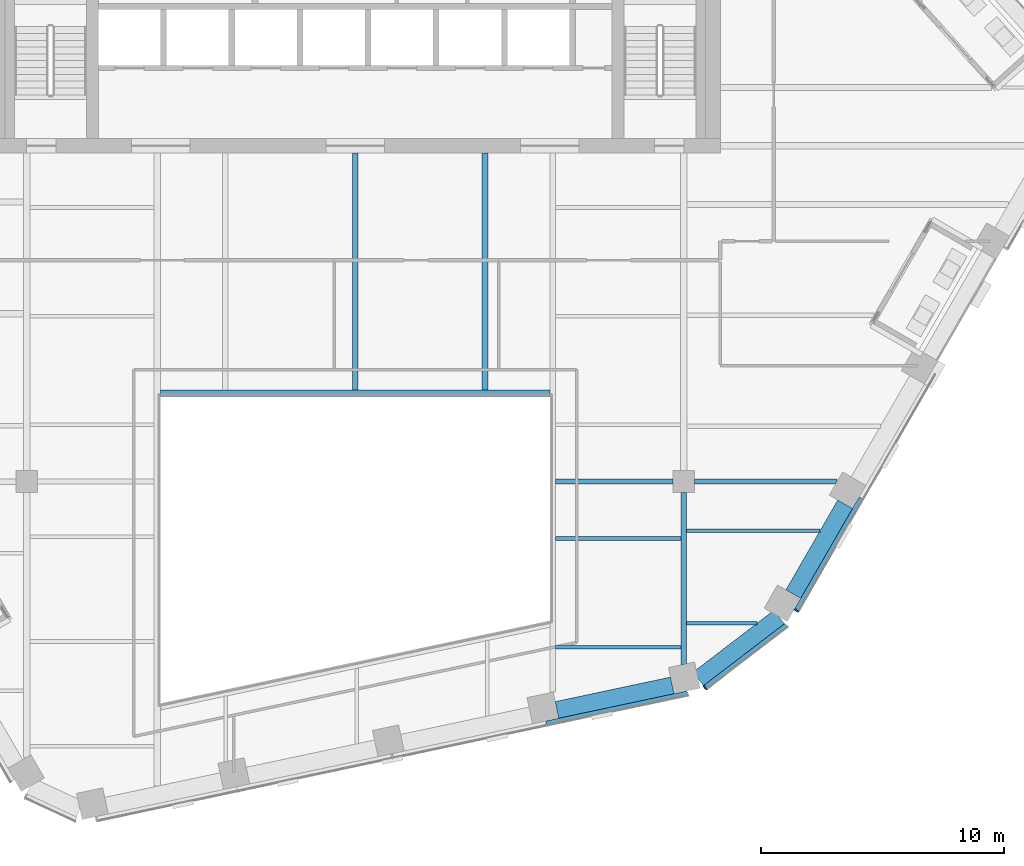
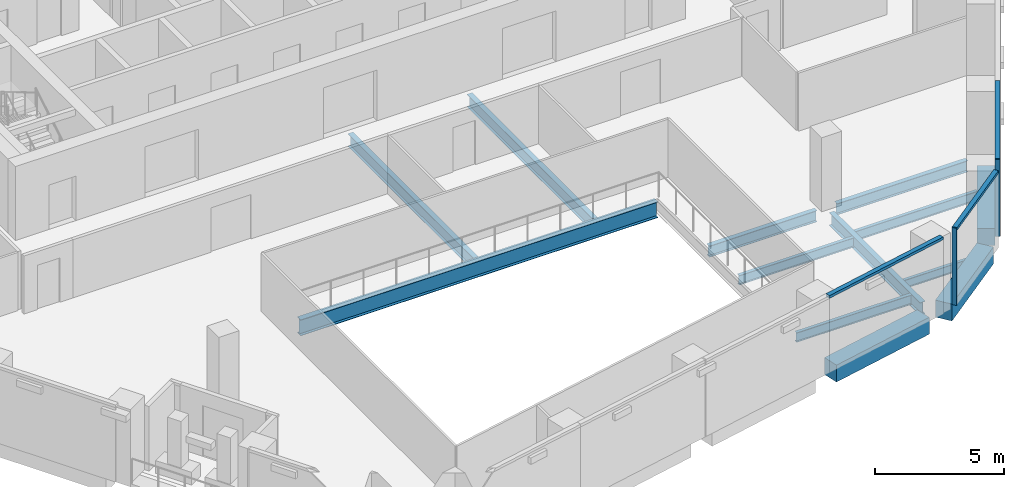
# One storey, part 5 of 25: 13 beams, 5 members, 3 elements without a shape of their own.
"""IFC4 building model written with IfcOpenShell, lengths in metres."""

from ifc_helpers import new_model, si_unit, direction, frame, origin, origin_2d, place, context, subcontext, project, spatial, rectangle, i_section, extrude, material, layer, layer_set, material_profile, profile_set, type_object, element, aggregate, save


model = new_model("IFC4")

# Units and contexts
model_context = context("Model", 3, precision=1e-05, world=origin(), true_north=direction((0.0, 1.0)))
body_context = subcontext(model_context, "Body", "Model", "MODEL_VIEW")
ifc_project = project(units=[si_unit("LENGTHUNIT", "METRE"), si_unit("AREAUNIT", "SQUARE_METRE"), si_unit("VOLUMEUNIT", "CUBIC_METRE"), si_unit("PLANEANGLEUNIT", "RADIAN"), si_unit("MASSUNIT", "GRAM", prefix="KILO")], contexts=[model_context])

# Site, building, storey
site_placement = place(None, origin())
site = spatial("IfcSite", under=ifc_project, at=site_placement, CompositionType="ELEMENT")
building_placement = place(site_placement, origin())
building = spatial("IfcBuilding", under=site, at=building_placement, Name="Isthmus Gate Tower", CompositionType="ELEMENT")
storey_placement = place(building_placement, frame((0.0, 0.0, 249.14990234375)))
storey = spatial("IfcBuildingStorey", under=building, at=storey_placement, Name="L63", CompositionType="ELEMENT", Elevation=249.14990234375)

# Curtain wall, member
ifc_material_1 = material(Name="Aluminium, pale champagne anodised", Category="aluminium")
ifc_layer = layer(ifc_material_1, 0.199951171875)
ifc_layer_set = layer_set([ifc_layer], Name="CW-1 UNITISED CURTAIN WALL 200 DEEP")
curtain_wall_type = type_object("IfcCurtainWallType", Name="CW-1 UNITISED CURTAIN WALL 200 DEEP", PredefinedType="NOTDEFINED", material=ifc_layer_set)
curtain_wall_1_placement = place(storey_placement, origin())
curtain_wall_1 = element("IfcCurtainWall", 1, at=curtain_wall_1_placement, inside=storey, type_object=curtain_wall_type, Name="CW-1 S-SE L63", PredefinedType="NOTDEFINED")
ifc_material_2 = material(Name="Aluminium, pale champagne anodised", Category="aluminium")
ifc_material_profile_1 = material_profile(ifc_material_2, rectangle(XDim=0.06005859375, YDim=0.199951171875, at=origin_2d()), Name="60x200")
ifc_profile_set_1 = profile_set([ifc_material_profile_1], Name="Aluminium, pale champagne anodised")
member_type_1 = type_object("IfcMemberType", Name="CW-1 MULLION 60 X 200", PredefinedType="MULLION", material=ifc_profile_set_1)
member_1_placement = place(storey_placement, frame((14.3720703125, -21.961669921875, 0.0), z_axis=(0.0, 0.0, 1.0), x_axis=(0.794188594387, 0.607671355706, 0.0)))
member_1 = element("IfcMember", 2, at=member_1_placement, type_object=member_type_1, Name="CW-1 mullion", PredefinedType="MULLION", context=body_context, shape_type="SweptSolid", body=[
    extrude(rectangle(XDim=0.06005859375, YDim=0.199951171875, at=origin_2d()), origin(), (0.0, 0.0, 1.0), 3.650146484375),
])

curtain_wall_2_placement = place(storey_placement, origin())
curtain_wall_2 = element("IfcCurtainWall", 3, at=curtain_wall_2_placement, inside=storey, type_object=curtain_wall_type, Name="CW-1 SE L63", PredefinedType="NOTDEFINED")
member_2_placement = place(storey_placement, frame((18.131591796875, -18.794921875, 0.0), z_axis=(0.0, 0.0, 1.0), x_axis=(0.5, 0.866025403784, 0.0)))
member_2 = element("IfcMember", 4, at=member_2_placement, type_object=member_type_1, Name="CW-1 mullion", PredefinedType="MULLION", context=body_context, shape_type="SweptSolid", body=[
    extrude(rectangle(XDim=0.06005859375, YDim=0.199951171875, at=origin_2d()), origin(), (0.0, 0.0, 1.0), 3.650146484375),
])

curtain_wall_3_placement = place(storey_placement, origin())
curtain_wall_3 = element("IfcCurtainWall", 5, at=curtain_wall_3_placement, inside=storey, type_object=curtain_wall_type, Name="CW-1 S L63", PredefinedType="NOTDEFINED")
ifc_material_3 = material(Name="Aluminium, pale champagne anodised", Category="aluminium")
ifc_material_profile_2 = material_profile(ifc_material_3, rectangle(XDim=0.199951171875, YDim=0.1298828125, at=origin_2d()), Name="200x130")
ifc_profile_set_2 = profile_set([ifc_material_profile_2], Name="Aluminium, pale champagne anodised")
member_type_2 = type_object("IfcMemberType", Name="CW-1 TRANSOM 200 X 130", PredefinedType="USERDEFINED", material=ifc_profile_set_2)
member_3_placement = place(storey_placement, frame((7.844970703125, -23.434814453125, 3.585205078125), z_axis=(0.978148616043, 0.207906914105, 0.0), x_axis=(-0.207906914105, 0.978148616043, 0.0)))
member_3 = element("IfcMember", 6, at=member_3_placement, type_object=member_type_2, Name="CW-1 transom", ObjectType="TRANSOM", PredefinedType="USERDEFINED", context=body_context, shape_type="SweptSolid", body=[
    extrude(rectangle(XDim=0.199951171875, YDim=0.1298828125, at=origin_2d()), origin(), (0.0, 0.0, 1.0), 5.94189453125),
])
aggregate(curtain_wall_3, [member_3])

# Member
member_4_placement = place(storey_placement, frame((14.39599609375, -21.943603515625, 3.585205078125), z_axis=(0.794175498212, 0.607688471209, 0.0), x_axis=(-0.607688471209, 0.794175498212, 0.0)))
member_4 = element("IfcMember", 7, at=member_4_placement, type_object=member_type_2, Name="CW-1 transom", ObjectType="TRANSOM", PredefinedType="USERDEFINED", context=body_context, shape_type="SweptSolid", body=[
    extrude(rectangle(XDim=0.199951171875, YDim=0.1298828125, at=origin_2d()), origin(), (0.0, 0.0, 1.0), 4.181396484375),
])

aggregate(curtain_wall_1, [member_1, member_4])

member_5_placement = place(storey_placement, frame((18.146728515625, -18.76904296875, 3.585205078125), z_axis=(0.499968318869, 0.866043694121, 0.0), x_axis=(-0.866043694121, 0.499968318869, 0.0)))
member_5 = element("IfcMember", 8, at=member_5_placement, type_object=member_type_2, Name="CW-1 transom", ObjectType="TRANSOM", PredefinedType="USERDEFINED", context=body_context, shape_type="SweptSolid", body=[
    extrude(rectangle(XDim=0.199951171875, YDim=0.1298828125, at=origin_2d()), origin(), (0.0, 0.0, 1.0), 5.300537109375),
])

aggregate(curtain_wall_2, [member_2, member_5])

# Beams
ifc_material_4 = material(Name="Concrete f'c 50 MPa", Category="concrete")
ifc_material_profile_3 = material_profile(ifc_material_4, rectangle(XDim=0.699951171875, YDim=0.800048828125, at=origin_2d()), Name="RC 700X800")
ifc_profile_set_3 = profile_set([ifc_material_profile_3], Name="Concrete f'c 50 MPa")
beam_type_1 = type_object("IfcBeamType", Name="RC SPANDREL 700 X 800", PredefinedType="SPANDREL", material=ifc_profile_set_3)
beam_1_placement = place(storey_placement, frame((20.13232421875, -14.429931640625, -0.39990234375), z_axis=(-0.500021719575, -0.866012863619, 0.0), x_axis=(0.866012863619, -0.500021719575, 0.0)))
element("IfcBeam", 9, at=beam_1_placement, inside=storey, type_object=beam_type_1, Name="str-spandrel-L63-09", PredefinedType="SPANDREL", context=body_context, shape_type="SweptSolid", body=[
    extrude(rectangle(XDim=0.699951171875, YDim=0.800048828125, at=origin_2d()), origin(), (0.0, 0.0, 1.0), 4.260498046875),
])
beam_2_placement = place(storey_placement, frame((17.4267578125, -19.057861328125, -0.39990234375), z_axis=(-0.794182771845, -0.60767896533, 0.0), x_axis=(0.60767896533, -0.794182771845, 0.0)))
element("IfcBeam", 10, at=beam_2_placement, inside=storey, type_object=beam_type_1, Name="str-spandrel-L63-10", PredefinedType="SPANDREL", context=body_context, shape_type="SweptSolid", body=[
    extrude(rectangle(XDim=0.699951171875, YDim=0.800048828125, at=origin_2d()), origin(), (0.0, 0.0, 1.0), 4.19677734375),
])
beam_3_placement = place(storey_placement, frame((13.025390625, -21.87353515625, -0.39990234375), z_axis=(-0.978151545833, -0.207893129722, 0.0), x_axis=(0.207893129722, -0.978151545833, 0.0)))
element("IfcBeam", 11, at=beam_3_placement, inside=storey, type_object=beam_type_1, Name="str-spandrel-L63-11", PredefinedType="SPANDREL", context=body_context, shape_type="SweptSolid", body=[
    extrude(rectangle(XDim=0.699951171875, YDim=0.800048828125, at=origin_2d()), origin(), (0.0, 0.0, 1.0), 4.841796875),
])
ifc_material_5 = material(Name="Structural steel ASTM A992 Gr 50", Category="steel")
ifc_material_profile_4 = material_profile(ifc_material_5, i_section(OverallWidth=0.1396484375, OverallDepth=0.4033203125, WebThickness=0.00634765625, FlangeThickness=0.010986328125, at=origin_2d()), Name="W16X31")
ifc_profile_set_4 = profile_set([ifc_material_profile_4], Name="Structural steel ASTM A992 Gr 50")
beam_type_2 = type_object("IfcBeamType", Name="STEEL FLOOR BEAM W16X31", PredefinedType="JOIST", material=ifc_profile_set_4)
beam_4_placement = place(storey_placement, frame((13.6142578125, -19.322998046875, -0.3515625), z_axis=(1.0, 0.0, 0.0), x_axis=(0.0, 1.0, 0.0)))
element("IfcBeam", 12, at=beam_4_placement, inside=storey, type_object=beam_type_2, Name="str-beam-L63-14-00", PredefinedType="JOIST", context=body_context, shape_type="SweptSolid", body=[
    extrude(i_section(OverallWidth=0.1396484375, OverallDepth=0.4033203125, WebThickness=0.00634765625, FlangeThickness=0.010986328125, at=origin_2d()), origin(), (0.0, 0.0, 1.0), 2.889892578125),
])
ifc_material_6 = material(Name="Structural steel ASTM A992 Gr 50", Category="steel")
ifc_material_profile_5 = material_profile(ifc_material_6, i_section(OverallWidth=0.15234375, OverallDepth=0.45068359375, WebThickness=0.0078125, FlangeThickness=0.010986328125, at=origin_2d()), Name="W18X35")
ifc_profile_set_5 = profile_set([ifc_material_profile_5], Name="Structural steel ASTM A992 Gr 50")
beam_type_3 = type_object("IfcBeamType", Name="STEEL FLOOR BEAM W18X35", PredefinedType="JOIST", material=ifc_profile_set_5)
for number, where, z_axis, x_axis, name in (
    (13, (8.228515625, -20.3046875, -0.375244140625), (1.0, 0.0, 0.0), (0.0, 1.0, 0.0), "str-beam-L63-12-00"),
    (14, (8.228515625, -15.838134765625, -0.375244140625), (1.0, 0.0, 0.0), (0.0, 1.0, 0.0), "str-beam-L63-12-01"),
):
    element("IfcBeam", number, at=place(storey_placement, frame(where, z_axis=z_axis, x_axis=x_axis)), inside=storey, type_object=beam_type_3, Name=name, PredefinedType="JOIST", context=body_context, shape_type="SweptSolid", body=[
        extrude(i_section(OverallWidth=0.15234375, OverallDepth=0.45068359375, WebThickness=0.0078125, FlangeThickness=0.010986328125, at=origin_2d()), origin(), (0.0, 0.0, 1.0), 5.1572265625),
    ])
beam_5_placement = place(storey_placement, frame((13.6142578125, -15.5107421875, -0.375244140625), z_axis=(1.0, 0.0, 0.0), x_axis=(0.0, 1.0, 0.0)))
element("IfcBeam", 15, at=beam_5_placement, inside=storey, type_object=beam_type_3, Name="str-beam-L63-14-01", PredefinedType="JOIST", context=body_context, shape_type="SweptSolid", body=[
    extrude(i_section(OverallWidth=0.15234375, OverallDepth=0.45068359375, WebThickness=0.0078125, FlangeThickness=0.010986328125, at=origin_2d()), origin(), (0.0, 0.0, 1.0), 5.48974609375),
])
ifc_material_7 = material(Name="Structural steel ASTM A992 Gr 50", Category="steel")
ifc_material_profile_6 = material_profile(ifc_material_7, i_section(OverallWidth=0.228515625, OverallDepth=0.603271484375, WebThickness=0.010986328125, FlangeThickness=0.014404296875, at=origin_2d()), Name="W24X68")
ifc_profile_set_6 = profile_set([ifc_material_profile_6], Name="Structural steel ASTM A992 Gr 50")
beam_type_4 = type_object("IfcBeamType", Name="STEEL FLOOR BEAM W24X68", PredefinedType="JOIST", material=ifc_profile_set_6)
for number, where, z_axis, x_axis, name in (
    (16, (0.0, -9.7333984375, -0.451416015625), (0.0, 1.0, 0.0), (-1.0, 0.0, 0.0), "str-beam-L63-10-01"),
    (17, (5.333251953125, -9.7333984375, -0.451416015625), (0.0, 1.0, 0.0), (-1.0, 0.0, 0.0), "str-beam-L63-10-02"),
):
    element("IfcBeam", number, at=place(storey_placement, frame(where, z_axis=z_axis, x_axis=x_axis)), inside=storey, type_object=beam_type_4, Name=name, PredefinedType="JOIST", context=body_context, shape_type="SweptSolid", body=[
        extrude(i_section(OverallWidth=0.228515625, OverallDepth=0.603271484375, WebThickness=0.010986328125, FlangeThickness=0.014404296875, at=origin_2d()), origin(), (0.0, 0.0, 1.0), 9.7333984375),
    ])
ifc_material_8 = material(Name="Structural steel ASTM A992 Gr 50", Category="steel")
ifc_material_profile_7 = material_profile(ifc_material_8, i_section(OverallWidth=0.20947265625, OverallDepth=0.533447265625, WebThickness=0.009521484375, FlangeThickness=0.015869140625, at=origin_2d()), Name="W21X62")
ifc_profile_set_7 = profile_set([ifc_material_profile_7], Name="Structural steel ASTM A992 Gr 50")
beam_type_5 = type_object("IfcBeamType", Name="STEEL GIRDER W21X62", PredefinedType="BEAM", material=ifc_profile_set_7)
beam_6_placement = place(storey_placement, frame((8.228515625, -13.5, -0.41650390625), z_axis=(1.0, 0.0, 0.0), x_axis=(0.0, 1.0, 0.0)))
element("IfcBeam", 18, at=beam_6_placement, inside=storey, type_object=beam_type_5, Name="str-girder-L63-03", PredefinedType="BEAM", context=body_context, shape_type="SweptSolid", body=[
    extrude(i_section(OverallWidth=0.20947265625, OverallDepth=0.533447265625, WebThickness=0.009521484375, FlangeThickness=0.015869140625, at=origin_2d()), origin(), (0.0, 0.0, 1.0), 4.821533203125),
])
beam_7_placement = place(storey_placement, frame((13.949951171875, -13.5, -0.41650390625), z_axis=(1.0, 0.0, 0.0), x_axis=(0.0, 1.0, 0.0)))
element("IfcBeam", 19, at=beam_7_placement, inside=storey, type_object=beam_type_5, Name="str-girder-L63-04", PredefinedType="BEAM", context=body_context, shape_type="SweptSolid", body=[
    extrude(i_section(OverallWidth=0.20947265625, OverallDepth=0.533447265625, WebThickness=0.009521484375, FlangeThickness=0.015869140625, at=origin_2d()), origin(), (0.0, 0.0, 1.0), 5.853271484375),
])
ifc_material_9 = material(Name="Structural steel ASTM A992 Gr 50", Category="steel")
ifc_material_profile_8 = material_profile(ifc_material_9, i_section(OverallWidth=0.228515625, OverallDepth=0.603271484375, WebThickness=0.010986328125, FlangeThickness=0.014404296875, at=origin_2d()), Name="W24X68")
ifc_profile_set_8 = profile_set([ifc_material_profile_8], Name="Structural steel ASTM A992 Gr 50")
beam_type_6 = type_object("IfcBeamType", Name="STEEL GIRDER W24X68", PredefinedType="BEAM", material=ifc_profile_set_8)
beam_8_placement = place(storey_placement, frame((13.5, -21.005859375, -0.451416015625), z_axis=(0.0, 1.0, 0.0), x_axis=(-1.0, 0.0, 0.0)))
element("IfcBeam", 20, at=beam_8_placement, inside=storey, type_object=beam_type_6, Name="str-girder-L63-07", PredefinedType="BEAM", context=body_context, shape_type="SweptSolid", body=[
    extrude(i_section(OverallWidth=0.228515625, OverallDepth=0.603271484375, WebThickness=0.010986328125, FlangeThickness=0.014404296875, at=origin_2d()), origin(), (0.0, 0.0, 1.0), 7.055908203125),
])
ifc_material_10 = material(Name="Structural steel ASTM A992 Gr 50", Category="steel")
ifc_material_profile_9 = material_profile(ifc_material_10, i_section(OverallWidth=0.2666015625, OverallDepth=0.7587890625, WebThickness=0.014404296875, FlangeThickness=0.01904296875, at=origin_2d()), Name="W30X108")
ifc_profile_set_9 = profile_set([ifc_material_profile_9], Name="Structural steel ASTM A992 Gr 50")
beam_type_7 = type_object("IfcBeamType", Name="STEEL TRIMMER W30X108", PredefinedType="BEAM", material=ifc_profile_set_9)
beam_9_placement = place(storey_placement, frame((8.0, -9.86669921875, -0.529296875), z_axis=(-1.0, 0.0, 0.0), x_axis=(0.0, -1.0, 0.0)))
element("IfcBeam", 21, at=beam_9_placement, inside=storey, type_object=beam_type_7, Name="str-trimmer-L63-04", PredefinedType="BEAM", context=body_context, shape_type="SweptSolid", body=[
    extrude(i_section(OverallWidth=0.2666015625, OverallDepth=0.7587890625, WebThickness=0.014404296875, FlangeThickness=0.01904296875, at=origin_2d()), origin(), (0.0, 0.0, 1.0), 16.0),
])

save(model, "model.ifc")
